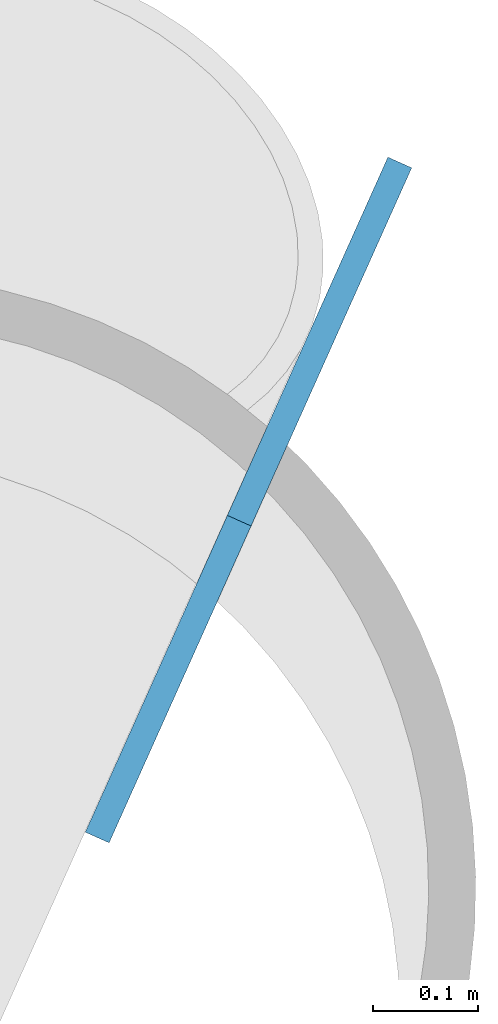
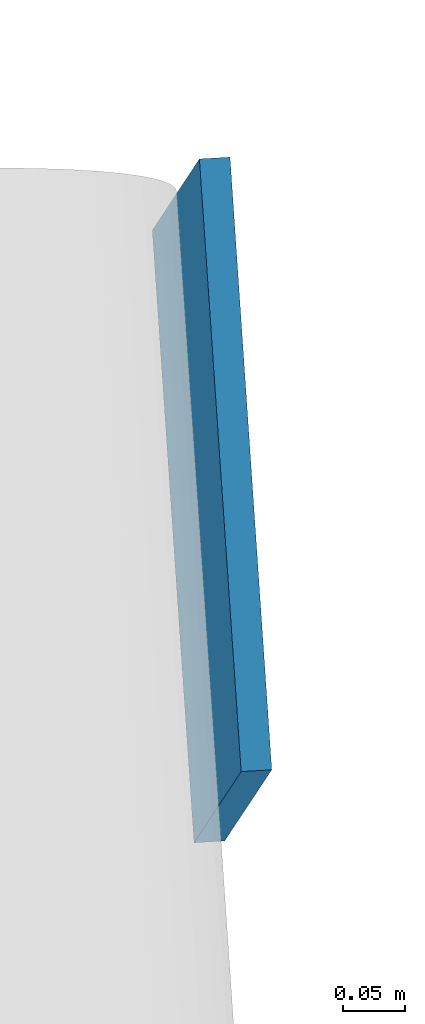
# One storey, part 9 of 21: 1 discrete accessory.
"""IFC4 building model written with IfcOpenShell, lengths in metres."""

from ifc_helpers import new_model, si_unit, direction, frame, origin, origin_2d, place, context, subcontext, project, spatial, rectangle, extrude, material, material_profile, profile_set, type_object, element, save


model = new_model("IFC4")

# Units and contexts
model_context = context("Model", 3, precision=1e-05, world=origin(), true_north=direction((0.0, 1.0)))
body_context = subcontext(model_context, "Body", "Model", "MODEL_VIEW")
ifc_project = project(units=[si_unit("LENGTHUNIT", "METRE"), si_unit("AREAUNIT", "SQUARE_METRE"), si_unit("VOLUMEUNIT", "CUBIC_METRE"), si_unit("PLANEANGLEUNIT", "RADIAN"), si_unit("MASSUNIT", "GRAM", prefix="KILO")], contexts=[model_context])

# Site, building, storey
site_placement = place(None, origin())
site = spatial("IfcSite", under=ifc_project, at=site_placement, CompositionType="ELEMENT")
building_placement = place(site_placement, origin())
building = spatial("IfcBuilding", under=site, at=building_placement, Name="Tarsis Ring Headquarters", CompositionType="ELEMENT")
storey_placement = place(building_placement, frame((0.0, 0.0, 100.60009765625)))
storey = spatial("IfcBuildingStorey", under=building, at=storey_placement, Name="L22", CompositionType="ELEMENT", Elevation=100.60009765625)

# Discrete accessory
ifc_material = material(Name="Structural steel S355", Category="steel")
ifc_material_profile = material_profile(ifc_material, rectangle(XDim=0.02490234375, YDim=0.5, at=origin_2d()), Name="PL 25x500")
ifc_profile_set = profile_set([ifc_material_profile], Name="Structural steel S355")
discrete_accessory_type = type_object("IfcDiscreteAccessoryType", Name="Gusset plate Exo brace 25", PredefinedType="BRACKET", material=ifc_profile_set)
discrete_accessory_placement = place(storey_placement, frame((28.7177734375, -6.10107421875, 7.7998046875), z_axis=(-0.271011569291, -0.604526707716, -0.749066211338), x_axis=(0.912499837155, -0.409077067545, 0.0)))
element("IfcDiscreteAccessory", 1, at=discrete_accessory_placement, inside=storey, type_object=discrete_accessory_type, Name="Gusset plate GP5", PredefinedType="BRACKET", context=body_context, shape_type="SweptSolid", body=[
    extrude(rectangle(XDim=0.02490234375, YDim=0.5, at=origin_2d()), origin(), (0.0, 0.0, 1.0), 0.5),
])

save(model, "model.ifc")
